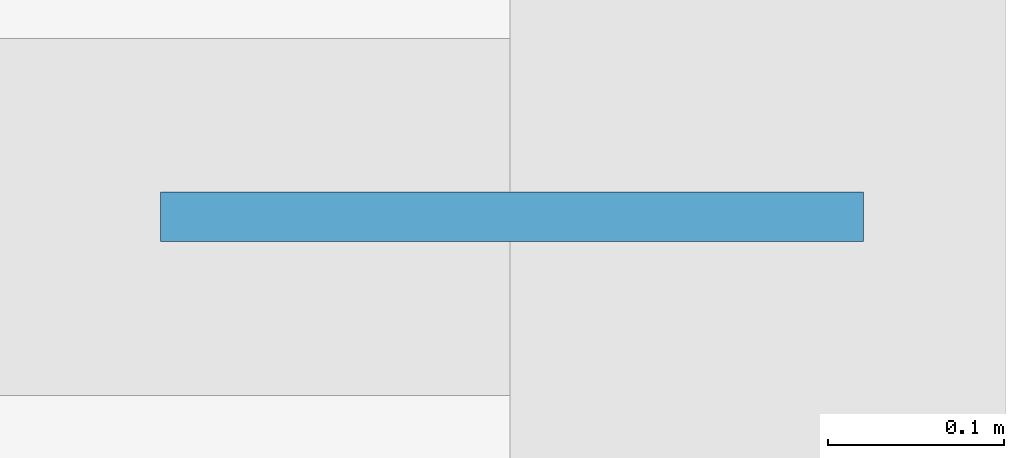
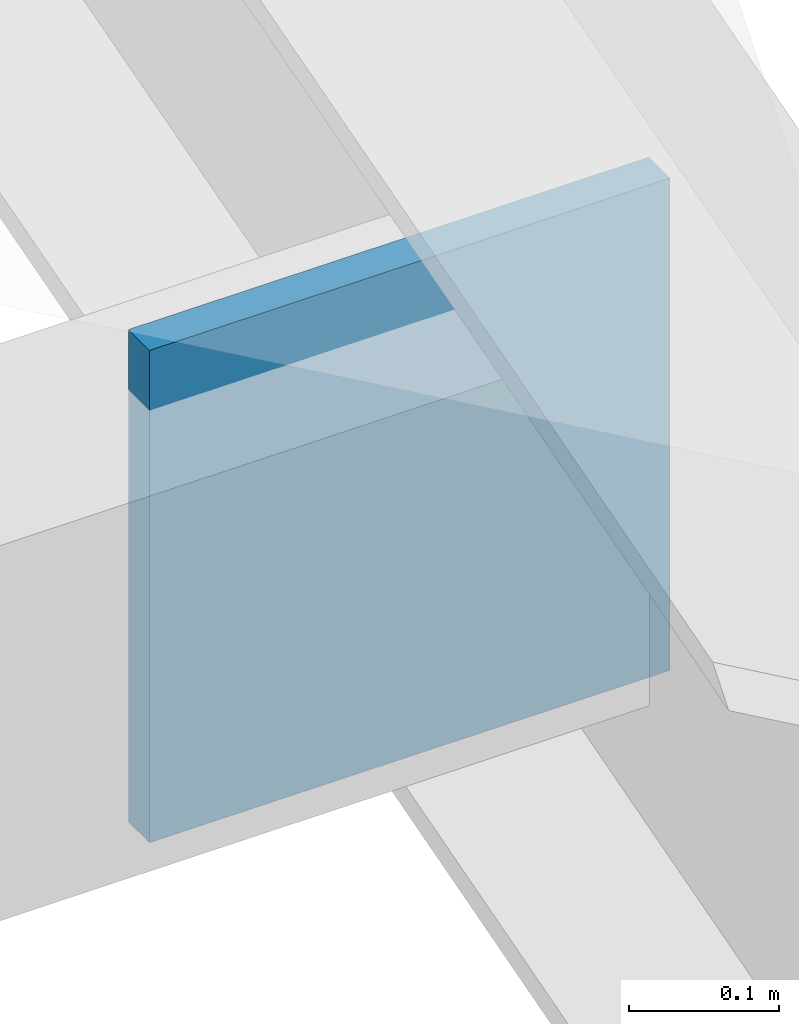
# One storey, part 36 of 64: 1 plate.
"""IFC4 building model written with IfcOpenShell, lengths in metres."""

from ifc_helpers import new_model, si_unit, direction, frame, origin, origin_2d, place, context, subcontext, project, spatial, rectangle, extrude, material, layer, layer_set, type_object, element, save


model = new_model("IFC4")

# Units and contexts
model_context = context("Model", 3, precision=1e-05, world=origin(), true_north=direction((0.0, 1.0)))
body_context = subcontext(model_context, "Body", "Model", "MODEL_VIEW")
ifc_project = project(units=[si_unit("LENGTHUNIT", "METRE"), si_unit("AREAUNIT", "SQUARE_METRE"), si_unit("VOLUMEUNIT", "CUBIC_METRE"), si_unit("PLANEANGLEUNIT", "RADIAN"), si_unit("MASSUNIT", "GRAM", prefix="KILO")], contexts=[model_context])

# Site, building, storey
site_placement = place(None, origin())
site = spatial("IfcSite", under=ifc_project, at=site_placement, CompositionType="ELEMENT")
building_placement = place(site_placement, origin())
building = spatial("IfcBuilding", under=site, at=building_placement, Name="Vervanel Yard Central Library", CompositionType="ELEMENT")
storey_placement = place(building_placement, frame((0.0, 0.0, 8.93994140625)))
storey = spatial("IfcBuildingStorey", under=building, at=storey_placement, Name="L02", CompositionType="ELEMENT", Elevation=8.93994140625)

# Plate
ifc_material = material(Name="Steel ASTM A572 Grade 50", Category="steel")
ifc_layer = layer(ifc_material, 0.028076171875, Category="steel")
ifc_layer_set = layer_set([ifc_layer], Name="Steel ASTM A572 Grade 50")
plate_type = type_object("IfcPlateType", Name="Brace End Cap Plate 28", PredefinedType="SHEET", material=ifc_layer_set)
plate_placement = place(storey_placement, frame((107.860107421875, 18.0, 1.8447265625), z_axis=(0.0, 0.0, 1.0), x_axis=(1.0, 0.0, 0.0)))
element("IfcPlate", 1, at=plate_placement, inside=storey, type_object=plate_type, Name="V5 Butterfly Purlin End Cap 90-180-2", PredefinedType="SHEET", context=body_context, shape_type="SweptSolid", body=[
    extrude(rectangle(XDim=0.39990234375, YDim=0.028076171875, at=origin_2d()), origin(), (0.0, 0.0, 1.0), 0.39990234375),
])

save(model, "model.ifc")
